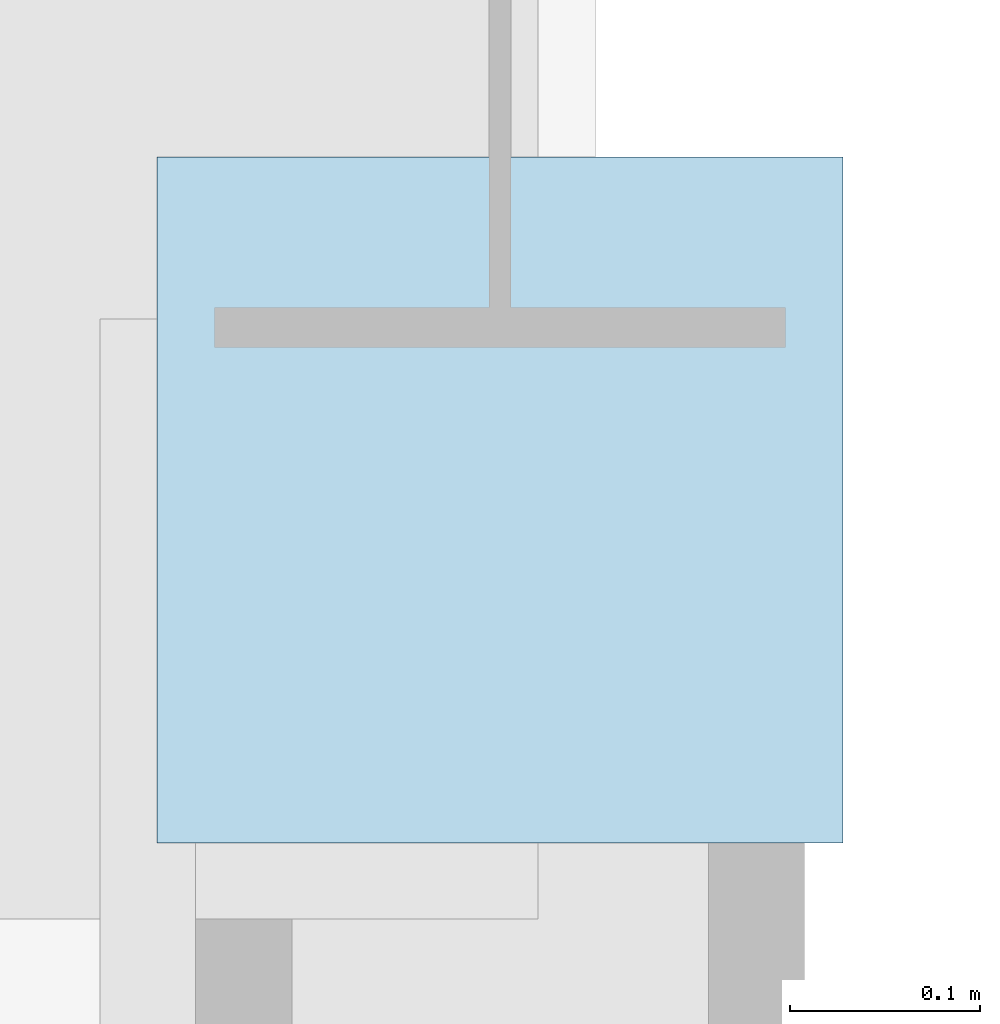
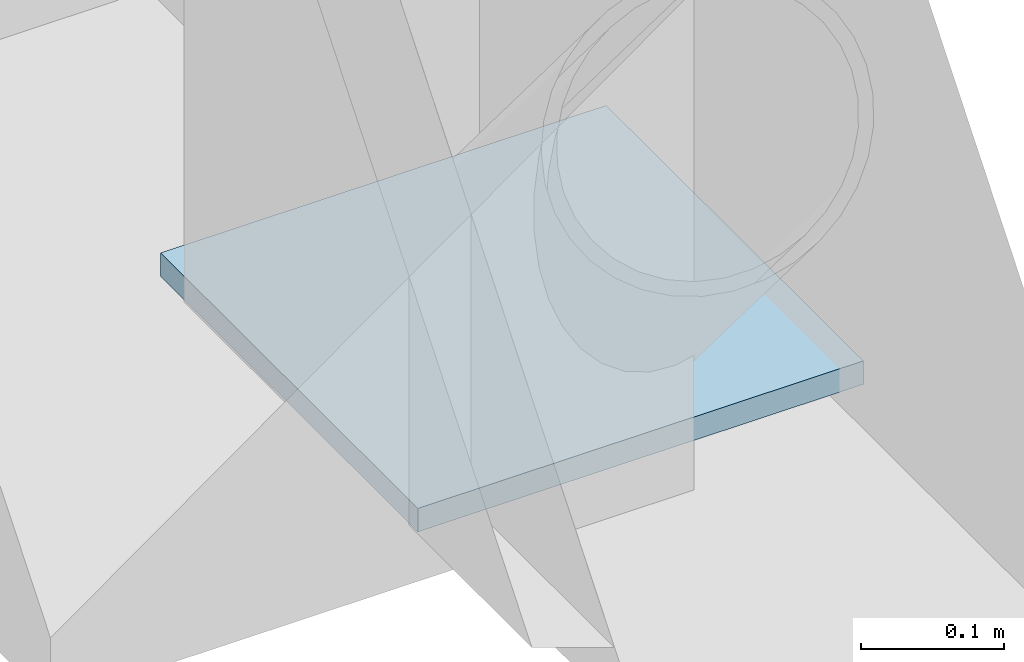
# One storey, part 41 of 71: 1 plate.
"""IFC4 building model written with IfcOpenShell, lengths in metres."""

from ifc_helpers import new_model, si_unit, direction, frame, origin, origin_2d, place, context, subcontext, project, spatial, rectangle, extrude, material, layer, layer_set, type_object, element, save


model = new_model("IFC4")

# Units and contexts
model_context = context("Model", 3, precision=1e-05, world=origin(), true_north=direction((0.0, 1.0)))
body_context = subcontext(model_context, "Body", "Model", "MODEL_VIEW")
ifc_project = project(units=[si_unit("LENGTHUNIT", "METRE"), si_unit("AREAUNIT", "SQUARE_METRE"), si_unit("VOLUMEUNIT", "CUBIC_METRE"), si_unit("PLANEANGLEUNIT", "RADIAN"), si_unit("MASSUNIT", "GRAM", prefix="KILO")], contexts=[model_context])

# Site, building, storey
site_placement = place(None, origin())
site = spatial("IfcSite", under=ifc_project, at=site_placement, CompositionType="ELEMENT")
building_placement = place(site_placement, origin())
building = spatial("IfcBuilding", under=site, at=building_placement, Name="Sardonyx Promenade Sports Hall", CompositionType="ELEMENT")
storey_placement = place(building_placement, frame((0.0, 0.0, 16.0)))
storey = spatial("IfcBuildingStorey", under=building, at=storey_placement, Name="L03", CompositionType="ELEMENT", Elevation=16.0)

# Plate
ifc_material = material(Name="Steel S355JR", Category="steel")
ifc_layer = layer(ifc_material, 0.02001953125)
ifc_layer_set = layer_set([ifc_layer], Name="Plt_EndCap_EC1")
plate_type = type_object("IfcPlateType", Name="Plt_EndCap_EC1", PredefinedType="USERDEFINED", material=ifc_layer_set)
plate_placement = place(storey_placement, frame((0.0, 64.5, 0.010009765625), z_axis=(0.0, 0.0, 1.0), x_axis=(1.0, 0.0, 0.0)))
element("IfcPlate", 1, at=plate_placement, inside=storey, type_object=plate_type, Name="Brace foot end-cap plate EC1 BF2 L03 L2", ObjectType="END CAP PLATE", PredefinedType="USERDEFINED", context=body_context, shape_type="SweptSolid", body=[
    extrude(rectangle(XDim=0.360107421875, YDim=0.360107421875, at=origin_2d()), origin(), (0.0, 0.0, 1.0), 0.02001953125),
])

save(model, "model.ifc")
